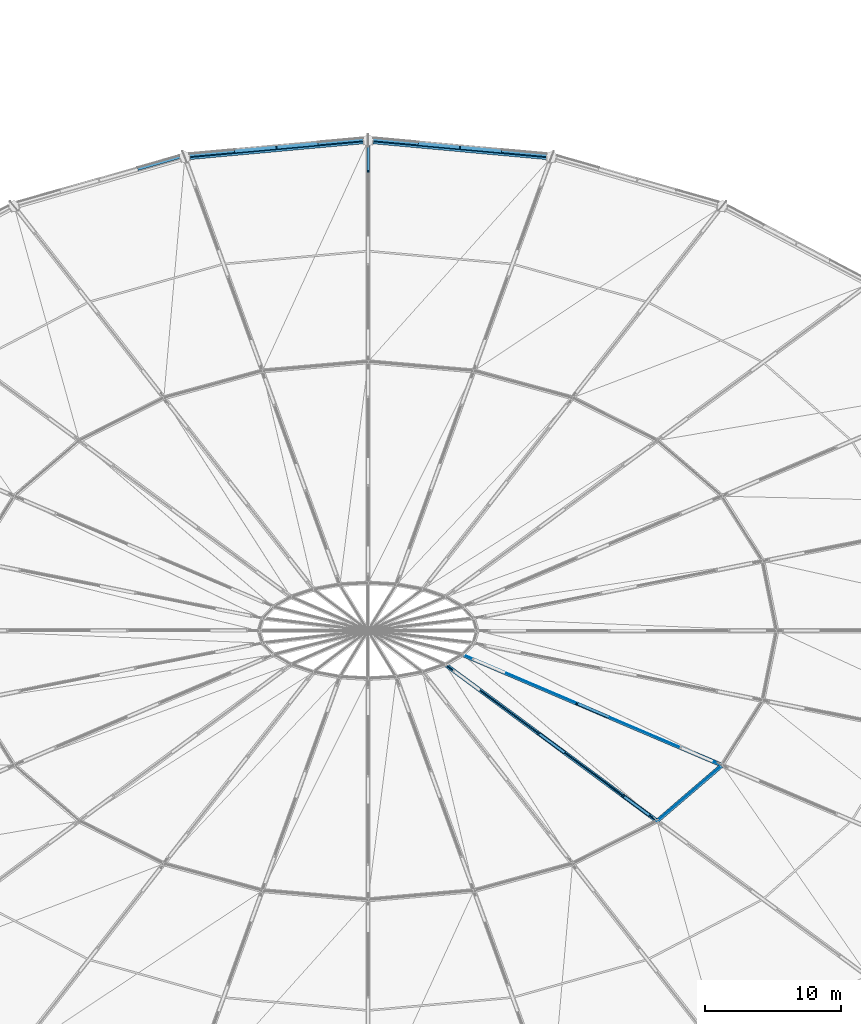
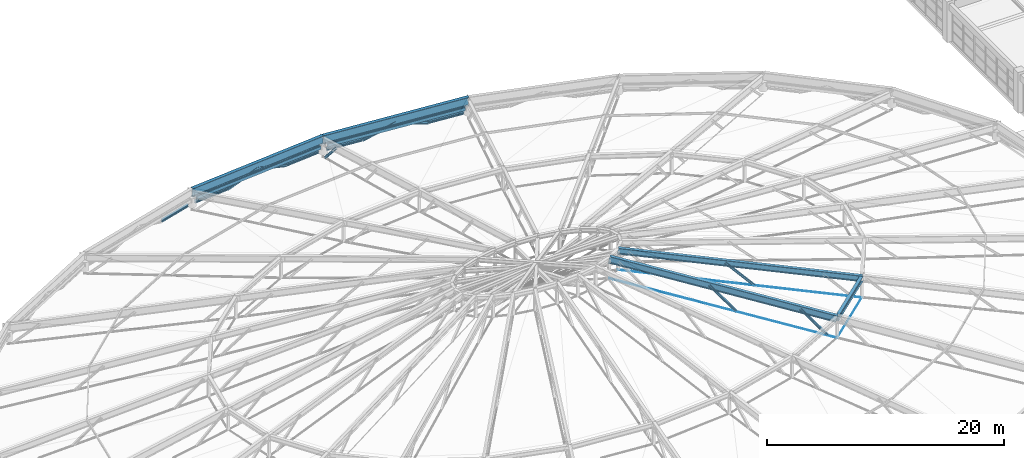
# One storey, part 22 of 83: 16 beams, 7 members.
"""IFC4 building model written with IfcOpenShell, lengths in metres."""

from ifc_helpers import new_model, si_unit, direction, frame, origin, origin_2d, place, context, subcontext, project, spatial, hollow_rectangle, circle, i_section, extrude, material, material_profile, profile_set, type_object, element, save


model = new_model("IFC4")

# Units and contexts
model_context = context("Model", 3, precision=1e-05, world=origin(), true_north=direction((0.0, 1.0)))
body_context = subcontext(model_context, "Body", "Model", "MODEL_VIEW")
ifc_project = project(units=[si_unit("LENGTHUNIT", "METRE"), si_unit("AREAUNIT", "SQUARE_METRE"), si_unit("VOLUMEUNIT", "CUBIC_METRE"), si_unit("PLANEANGLEUNIT", "RADIAN"), si_unit("MASSUNIT", "GRAM", prefix="KILO")], contexts=[model_context])

# Site, building, storey
site_placement = place(None, origin())
site = spatial("IfcSite", under=ifc_project, at=site_placement, CompositionType="ELEMENT")
building_placement = place(site_placement, origin())
building = spatial("IfcBuilding", under=site, at=building_placement, Name="Kivolera Central Railway Station", CompositionType="ELEMENT")
storey_placement = place(building_placement, frame((0.0, 0.0, 14.39990234375)))
storey = spatial("IfcBuildingStorey", under=building, at=storey_placement, Name="L03", CompositionType="ELEMENT", Elevation=14.39990234375)

# Beams
ifc_material_1 = material(Name="Steel S355", Category="steel")
ifc_material_profile_1 = material_profile(ifc_material_1, hollow_rectangle(XDim=0.14990234375, YDim=0.300048828125, WallThickness=0.012451171875, at=origin_2d()), Name="RHS 300x150x12.5")
ifc_profile_set_1 = profile_set([ifc_material_profile_1], Name="Steel S355")
beam_type_1 = type_object("IfcBeamType", Name="BM-ARCH-HOOD", PredefinedType="SPANDREL", material=ifc_profile_set_1)
for number, where, z_axis, x_axis, name in (
    (1, (77.092041015625, 124.660888671875, 0.735107421875), (-0.995873178127, 0.090755788174, 0.0), (-0.090755788174, -0.995873178127, 0.0), "Lantern Spandrel Hood Beam 06"),
    (2, (63.659912109375, 125.822998046875, 0.735107421875), (-0.995873178127, -0.090755788174, 0.0), (0.090755788174, -0.995873178127, 0.0), "Lantern Spandrel Hood Beam 07"),
):
    element("IfcBeam", number, at=place(storey_placement, frame(where, z_axis=z_axis, x_axis=x_axis)), inside=storey, type_object=beam_type_1, Name=name, PredefinedType="SPANDREL", context=body_context, shape_type="SweptSolid", body=[
        extrude(hollow_rectangle(XDim=0.14990234375, YDim=0.300048828125, WallThickness=0.012451171875, at=origin_2d()), origin(), (0.0, 0.0, 1.0), 12.8046875),
    ])
ifc_material_profile_2 = material_profile(ifc_material_1, i_section(OverallWidth=0.300048828125, OverallDepth=0.60009765625, WebThickness=0.015380859375, FlangeThickness=0.030029296875, FilletRadius=0.027099609375, at=origin_2d()), Name="HEB 600")
ifc_profile_set_2 = profile_set([ifc_material_profile_2], Name="Steel S355")
beam_type_2 = type_object("IfcBeamType", Name="BM-DRB-HEB600", PredefinedType="BEAM", material=ifc_profile_set_2)
beam_1_placement = place(storey_placement, frame((89.98095703125, 80.125, 5.780029296875), z_axis=(-0.897973960833, 0.382934270659, 0.216804312733), x_axis=(-0.392264242774, -0.919852577232, 0.0)))
element("IfcBeam", 3, at=beam_1_placement, inside=storey, type_object=beam_type_2, Name="Oval Dome Radial Arch Rib Mid Segment DRB2-23", PredefinedType="BEAM", context=body_context, shape_type="SweptSolid", body=[
    extrude(i_section(OverallWidth=0.300048828125, OverallDepth=0.60009765625, WebThickness=0.015380859375, FlangeThickness=0.030029296875, FilletRadius=0.027099609375, at=origin_2d()), origin(), (0.0, 0.0, 1.0), 21.2177734375),
])
ifc_material_profile_3 = material_profile(ifc_material_1, i_section(OverallWidth=0.300048828125, OverallDepth=0.699951171875, WebThickness=0.01708984375, FlangeThickness=0.031982421875, FilletRadius=0.027099609375, at=origin_2d()), Name="HEB 700")
ifc_profile_set_3 = profile_set([ifc_material_profile_3], Name="Steel S355")
beam_type_3 = type_object("IfcBeamType", Name="BM-DRB-HEB700", PredefinedType="BEAM", material=ifc_profile_set_3)
beam_2_placement = place(storey_placement, frame((85.212890625, 76.034912109375, 5.780029296875), z_axis=(-0.782537226919, 0.578001938423, 0.231407103749), x_axis=(-0.594128361521, -0.804370244375, 0.0)))
element("IfcBeam", 4, at=beam_2_placement, inside=storey, type_object=beam_type_3, Name="Oval Dome Radial Arch Rib Mid Segment DRB2-22", PredefinedType="BEAM", context=body_context, shape_type="SweptSolid", body=[
    extrude(i_section(OverallWidth=0.300048828125, OverallDepth=0.699951171875, WebThickness=0.01708984375, FlangeThickness=0.031982421875, FilletRadius=0.027099609375, at=origin_2d()), origin(), (0.0, 0.0, 1.0), 19.87890625),
])
ifc_material_profile_4 = material_profile(ifc_material_1, i_section(OverallWidth=0.300048828125, OverallDepth=0.5, WebThickness=0.014404296875, FlangeThickness=0.028076171875, FilletRadius=0.027099609375, at=origin_2d()), Name="HEB 500")
ifc_profile_set_4 = profile_set([ifc_material_profile_4], Name="Steel S355")
beam_type_4 = type_object("IfcBeamType", Name="BM-HRG-HEB500", PredefinedType="BEAM", material=ifc_profile_set_4)
beam_3_placement = place(storey_placement, frame((85.212890625, 76.034912109375, 5.780029296875), z_axis=(0.759006904764, 0.651082574271, 0.0), x_axis=(-0.651082574271, 0.759006904764, 0.0)))
element("IfcBeam", 5, at=beam_3_placement, inside=storey, type_object=beam_type_4, Name="Oval Dome Outer Hoop Ring Beam HRG1-22", PredefinedType="BEAM", context=body_context, shape_type="SweptSolid", body=[
    extrude(i_section(OverallWidth=0.300048828125, OverallDepth=0.5, WebThickness=0.014404296875, FlangeThickness=0.028076171875, FilletRadius=0.027099609375, at=origin_2d()), origin(), (0.0, 0.0, 1.0), 6.281982421875),
])
ifc_material_profile_5 = material_profile(ifc_material_1, i_section(OverallWidth=0.300048828125, OverallDepth=0.300048828125, WebThickness=0.010986328125, FlangeThickness=0.01904296875, FilletRadius=0.027099609375, at=origin_2d()), Name="HEB 300")
ifc_profile_set_5 = profile_set([ifc_material_profile_5], Name="Steel S355")
beam_type_5 = type_object("IfcBeamType", Name="BM-LANT-ARCH", PredefinedType="SPANDREL", material=ifc_profile_set_5)
beam_4_placement = place(storey_placement, frame((73.801025390625, 125.22705078125, 0.16015625), z_axis=(-0.955751050317, 0.087129003869, 0.280977697517), x_axis=(-0.090786397644, -0.995870388154, 0.0)))
element("IfcBeam", 6, at=beam_4_placement, inside=storey, type_object=beam_type_5, Name="Oval Lantern Structural Arch Rib 06.3", PredefinedType="SPANDREL", context=body_context, shape_type="SweptSolid", body=[
    extrude(i_section(OverallWidth=0.300048828125, OverallDepth=0.300048828125, WebThickness=0.010986328125, FlangeThickness=0.01904296875, FilletRadius=0.027099609375, at=origin_2d()), origin(), (0.0, 0.0, 1.0), 3.20263671875),
])
for number, where, z_axis, x_axis, name in (
    (7, (70.739990234375, 125.506103515625, 1.06005859375), (-0.955731000217, 0.087078730034, -0.281061470145), (-0.090736332694, -0.99587495095, 0.0), "Oval Lantern Structural Arch Rib 06.4"),
    (8, (60.320068359375, 125.784912109375, 0.16015625), (-0.955731000217, -0.087078730034, 0.281061470145), (0.090736332694, -0.99587495095, 0.0), "Oval Lantern Structural Arch Rib 07.3"),
):
    element("IfcBeam", number, at=place(storey_placement, frame(where, z_axis=z_axis, x_axis=x_axis)), inside=storey, type_object=beam_type_5, Name=name, PredefinedType="SPANDREL", context=body_context, shape_type="SweptSolid", body=[
        extrude(i_section(OverallWidth=0.300048828125, OverallDepth=0.300048828125, WebThickness=0.010986328125, FlangeThickness=0.01904296875, FilletRadius=0.027099609375, at=origin_2d()), origin(), (0.0, 0.0, 1.0), 3.201904296875),
    ])
beam_5_placement = place(storey_placement, frame((57.260009765625, 125.506103515625, 1.06005859375), z_axis=(-0.955751050317, -0.087129003869, -0.280977697517), x_axis=(0.090786397644, -0.995870388154, 0.0)))
element("IfcBeam", 9, at=beam_5_placement, inside=storey, type_object=beam_type_5, Name="Oval Lantern Structural Arch Rib 07.4", PredefinedType="SPANDREL", context=body_context, shape_type="SweptSolid", body=[
    extrude(i_section(OverallWidth=0.300048828125, OverallDepth=0.300048828125, WebThickness=0.010986328125, FlangeThickness=0.01904296875, FilletRadius=0.027099609375, at=origin_2d()), origin(), (0.0, 0.0, 1.0), 3.20263671875),
])
ifc_material_profile_6 = material_profile(ifc_material_1, i_section(OverallWidth=0.239990234375, OverallDepth=0.22998046875, WebThickness=0.007568359375, FlangeThickness=0.011962890625, FilletRadius=0.02099609375, at=origin_2d()), Name="HEA 240")
ifc_profile_set_6 = profile_set([ifc_material_profile_6], Name="Steel S355")
beam_type_6 = type_object("IfcBeamType", Name="BM-LANT-HTIE", PredefinedType="SPANDREL", material=ifc_profile_set_6)
beam_6_placement = place(storey_placement, frame((77.115966796875, 124.925048828125, 0.16015625), z_axis=(-0.995875753582, 0.090727522992, 0.0), x_axis=(-0.090727522992, -0.995875753582, 0.0)))
element("IfcBeam", 10, at=beam_6_placement, inside=storey, type_object=beam_type_6, Name="Lantern Arch Spandrel Haunch Tie 06L", PredefinedType="SPANDREL", context=body_context, shape_type="SweptSolid", body=[
    extrude(i_section(OverallWidth=0.239990234375, OverallDepth=0.22998046875, WebThickness=0.007568359375, FlangeThickness=0.011962890625, FilletRadius=0.02099609375, at=origin_2d()), origin(), (0.0, 0.0, 1.0), 3.32861328125),
])
for number, where, z_axis, x_axis, name in (
    (11, (67.679931640625, 125.784912109375, 0.16015625), (-0.99587816747, 0.09070102291, 0.0), (-0.09070102291, -0.99587816747, 0.0), "Lantern Arch Spandrel Haunch Tie 06R"),
    (12, (63.635986328125, 126.0869140625, 0.16015625), (-0.99587816747, -0.09070102291, 0.0), (0.09070102291, -0.99587816747, 0.0), "Lantern Arch Spandrel Haunch Tie 07L"),
):
    element("IfcBeam", number, at=place(storey_placement, frame(where, z_axis=z_axis, x_axis=x_axis)), inside=storey, type_object=beam_type_6, Name=name, PredefinedType="SPANDREL", context=body_context, shape_type="SweptSolid", body=[
        extrude(i_section(OverallWidth=0.239990234375, OverallDepth=0.22998046875, WebThickness=0.007568359375, FlangeThickness=0.011962890625, FilletRadius=0.02099609375, at=origin_2d()), origin(), (0.0, 0.0, 1.0), 3.32958984375),
    ])
beam_7_placement = place(storey_placement, frame((54.198974609375, 125.22705078125, 0.16015625), z_axis=(-0.995875753582, -0.090727522992, 0.0), x_axis=(0.090727522992, -0.995875753582, 0.0)))
element("IfcBeam", 13, at=beam_7_placement, inside=storey, type_object=beam_type_6, Name="Lantern Arch Spandrel Haunch Tie 07R", PredefinedType="SPANDREL", context=body_context, shape_type="SweptSolid", body=[
    extrude(i_section(OverallWidth=0.239990234375, OverallDepth=0.22998046875, WebThickness=0.007568359375, FlangeThickness=0.011962890625, FilletRadius=0.02099609375, at=origin_2d()), origin(), (0.0, 0.0, 1.0), 3.32861328125),
])
beam_8_placement = place(storey_placement, frame((50.1669921875, 124.791015625, 0.16015625), z_axis=(-0.961204572077, -0.275836492541, 0.0), x_axis=(0.275836492541, -0.961204572077, 0.0)))
element("IfcBeam", 14, at=beam_8_placement, inside=storey, type_object=beam_type_6, Name="Lantern Arch Spandrel Haunch Tie 08L", PredefinedType="SPANDREL", context=body_context, shape_type="SweptSolid", body=[
    extrude(i_section(OverallWidth=0.239990234375, OverallDepth=0.22998046875, WebThickness=0.007568359375, FlangeThickness=0.011962890625, FilletRadius=0.02099609375, at=origin_2d()), origin(), (0.0, 0.0, 1.0), 3.20849609375),
])
ifc_material_profile_7 = material_profile(ifc_material_1, i_section(OverallWidth=0.300048828125, OverallDepth=0.89990234375, WebThickness=0.0185546875, FlangeThickness=0.034912109375, FilletRadius=0.030029296875, at=origin_2d()), Name="HEB 900")
ifc_profile_set_7 = profile_set([ifc_material_profile_7], Name="Steel S355")
beam_type_7 = type_object("IfcBeamType", Name="BM-ORB-HEB900", PredefinedType="BEAM", material=ifc_profile_set_7)
for number, where, z_axis, x_axis, name in (
    (15, (77.458984375, 124.77294921875, 1.35009765625), (-0.995869777974, 0.0907930907, 0.0), (-0.0907930907, -0.995869777974, 0.0), "Oval Dome Compression Ring Beam ORB-06"),
    (16, (64.0, 126.0, 1.35009765625), (-0.995869777974, -0.0907930907, 0.0), (0.0907930907, -0.995869777974, 0.0), "Oval Dome Compression Ring Beam ORB-07"),
):
    element("IfcBeam", number, at=place(storey_placement, frame(where, z_axis=z_axis, x_axis=x_axis)), inside=storey, type_object=beam_type_7, Name=name, PredefinedType="BEAM", context=body_context, shape_type="SweptSolid", body=[
        extrude(i_section(OverallWidth=0.300048828125, OverallDepth=0.89990234375, WebThickness=0.0185546875, FlangeThickness=0.034912109375, FilletRadius=0.030029296875, at=origin_2d()), origin(), (0.0, 0.0, 1.0), 13.514892578125),
    ])

# Members
ifc_material_2 = material(Name="Spiral strand steel S460", Category="steel")
ifc_material_profile_8 = material_profile(ifc_material_2, circle(Radius=0.02392578125, at=origin_2d()), Name="CABLE D48")
ifc_profile_set_8 = profile_set([ifc_material_profile_8], Name="Spiral strand steel S460")
member_type_1 = type_object("IfcMemberType", Name="MEM-CABLE-D48", PredefinedType="USERDEFINED", material=ifc_profile_set_8)
member_1_placement = place(storey_placement, frame((85.212890625, 76.034912109375, 3.780029296875), z_axis=(0.759006904764, 0.651082574271, 0.0), x_axis=(-0.651082574271, 0.759006904764, 0.0)))
element("IfcMember", 17, at=member_1_placement, inside=storey, type_object=member_type_1, Name="Dome Hoop Tension Cable HC1-22", ObjectType="TENSION_CABLE", PredefinedType="USERDEFINED", context=body_context, shape_type="SweptSolid", body=[
    extrude(circle(Radius=0.02392578125, at=origin_2d()), origin(), (0.0, 0.0, 1.0), 6.281982421875),
])
ifc_material_profile_9 = material_profile(ifc_material_2, circle(Radius=0.031982421875, at=origin_2d()), Name="CABLE D64")
ifc_profile_set_9 = profile_set([ifc_material_profile_9], Name="Spiral strand steel S460")
member_type_2 = type_object("IfcMemberType", Name="MEM-CABLE-D64", PredefinedType="USERDEFINED", material=ifc_profile_set_9)
member_2_placement = place(storey_placement, frame((85.212890625, 76.034912109375, 3.780029296875), z_axis=(-0.782537226919, 0.578001938423, 0.231407103749), x_axis=(-0.594128361521, -0.804370244375, 0.0)))
element("IfcMember", 18, at=member_2_placement, inside=storey, type_object=member_type_2, Name="Dome Inner Radial Tension Cable RC2-22", ObjectType="TENSION_CABLE", PredefinedType="USERDEFINED", context=body_context, shape_type="SweptSolid", body=[
    extrude(circle(Radius=0.031982421875, at=origin_2d()), origin(), (0.0, 0.0, 1.0), 19.87890625),
])
member_3_placement = place(storey_placement, frame((89.98095703125, 80.125, 3.780029296875), z_axis=(-0.897973960833, 0.382934270659, 0.216804312733), x_axis=(-0.392264242774, -0.919852577232, 0.0)))
element("IfcMember", 19, at=member_3_placement, inside=storey, type_object=member_type_2, Name="Dome Inner Radial Tension Cable RC2-23", ObjectType="TENSION_CABLE", PredefinedType="USERDEFINED", context=body_context, shape_type="SweptSolid", body=[
    extrude(circle(Radius=0.031982421875, at=origin_2d()), origin(), (0.0, 0.0, 1.0), 21.2177734375),
])
ifc_material_profile_10 = material_profile(ifc_material_1, i_section(OverallWidth=0.199951171875, OverallDepth=0.199951171875, WebThickness=0.009033203125, FlangeThickness=0.014892578125, FilletRadius=0.01806640625, at=origin_2d()), Name="HEB 200")
ifc_profile_set_10 = profile_set([ifc_material_profile_10], Name="Steel S355")
member_type_3 = type_object("IfcMemberType", Name="MEM-RAF-HEB200", PredefinedType="RAFTER", material=ifc_profile_set_10)
member_4_placement = place(storey_placement, frame((64.0, 125.675048828125, -0.364990234375), z_axis=(0.0, -0.66512331484, 0.74673353752), x_axis=(1.0, 0.0, 0.0)))
element("IfcMember", 20, at=member_4_placement, inside=storey, type_object=member_type_3, Name="Dome Radial Truss Raking Web DWEB1-07.1", PredefinedType="RAFTER", context=body_context, shape_type="SweptSolid", body=[
    extrude(i_section(OverallWidth=0.199951171875, OverallDepth=0.199951171875, WebThickness=0.009033203125, FlangeThickness=0.014892578125, FilletRadius=0.01806640625, at=origin_2d()), origin(), (0.0, 0.0, 1.0), 2.931640625),
])
member_5_placement = place(storey_placement, frame((84.591064453125, 76.4951171875, 3.964111328125), z_axis=(-0.541270764983, 0.39949420656, 0.739885354566), x_axis=(-0.593837701674, -0.804584852002, 0.0)))
element("IfcMember", 21, at=member_5_placement, inside=storey, type_object=member_type_3, Name="Dome Inner Truss Raking Web DWEB2-22.1", PredefinedType="RAFTER", context=body_context, shape_type="SweptSolid", body=[
    extrude(i_section(OverallWidth=0.199951171875, OverallDepth=0.199951171875, WebThickness=0.009033203125, FlangeThickness=0.014892578125, FilletRadius=0.01806640625, at=origin_2d()), origin(), (0.0, 0.0, 1.0), 3.44921875),
])
member_6_placement = place(storey_placement, frame((78.367919921875, 81.091064453125, 5.80419921875), z_axis=(-0.541070539817, 0.39955542676, 0.739998737761), x_axis=(-0.594038836545, -0.804436362104, 0.0)))
element("IfcMember", 22, at=member_6_placement, inside=storey, type_object=member_type_3, Name="Dome Inner Truss Raking Web DWEB2-22.2", PredefinedType="RAFTER", context=body_context, shape_type="SweptSolid", body=[
    extrude(i_section(OverallWidth=0.199951171875, OverallDepth=0.199951171875, WebThickness=0.009033203125, FlangeThickness=0.014892578125, FilletRadius=0.01806640625, at=origin_2d()), origin(), (0.0, 0.0, 1.0), 3.44873046875),
])
member_7_placement = place(storey_placement, frame((81.597900390625, 83.699951171875, 5.80419921875), z_axis=(-0.641879650981, 0.273691398101, 0.716298493829), x_axis=(-0.392223776266, -0.91986983282, 0.0)))
element("IfcMember", 23, at=member_7_placement, inside=storey, type_object=member_type_3, Name="Dome Inner Truss Raking Web DWEB2-23.2", PredefinedType="RAFTER", context=body_context, shape_type="SweptSolid", body=[
    extrude(i_section(OverallWidth=0.199951171875, OverallDepth=0.199951171875, WebThickness=0.009033203125, FlangeThickness=0.014892578125, FilletRadius=0.01806640625, at=origin_2d()), origin(), (0.0, 0.0, 1.0), 3.562744140625),
])

save(model, "model.ifc")
